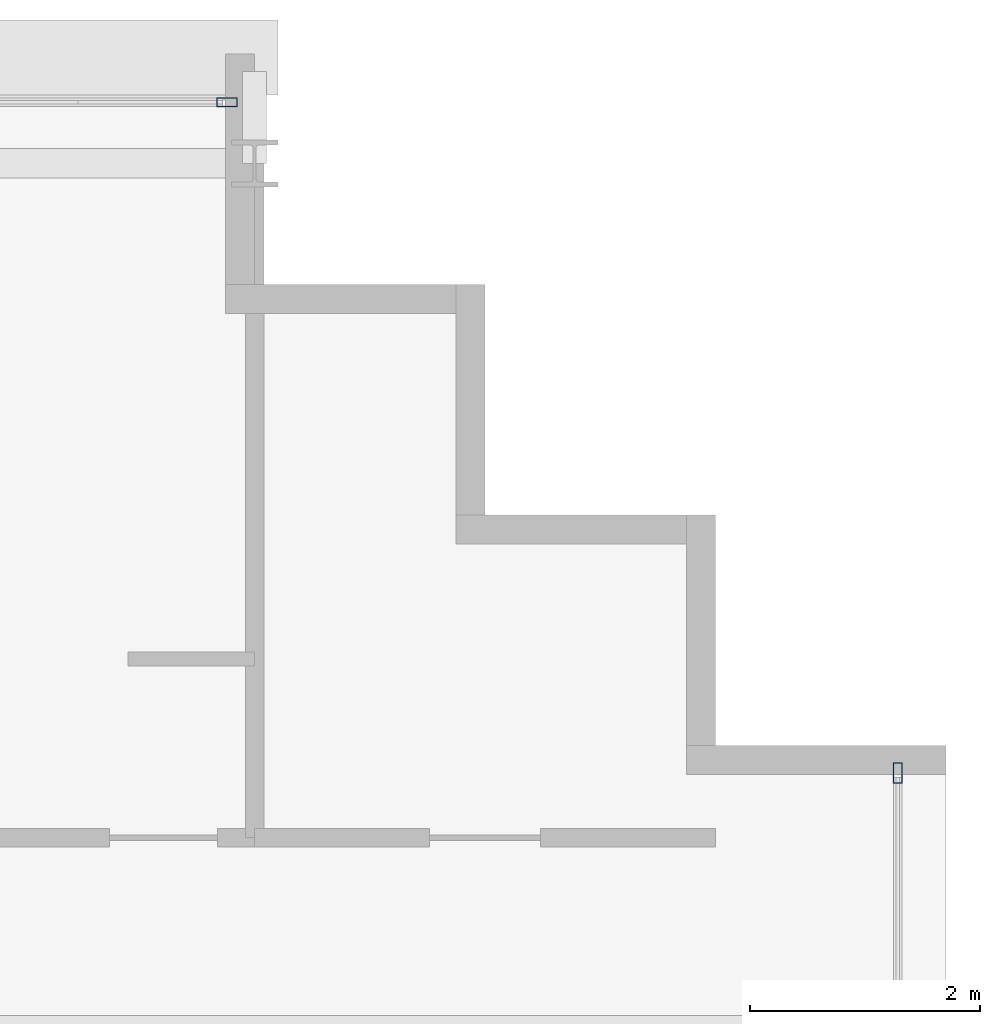
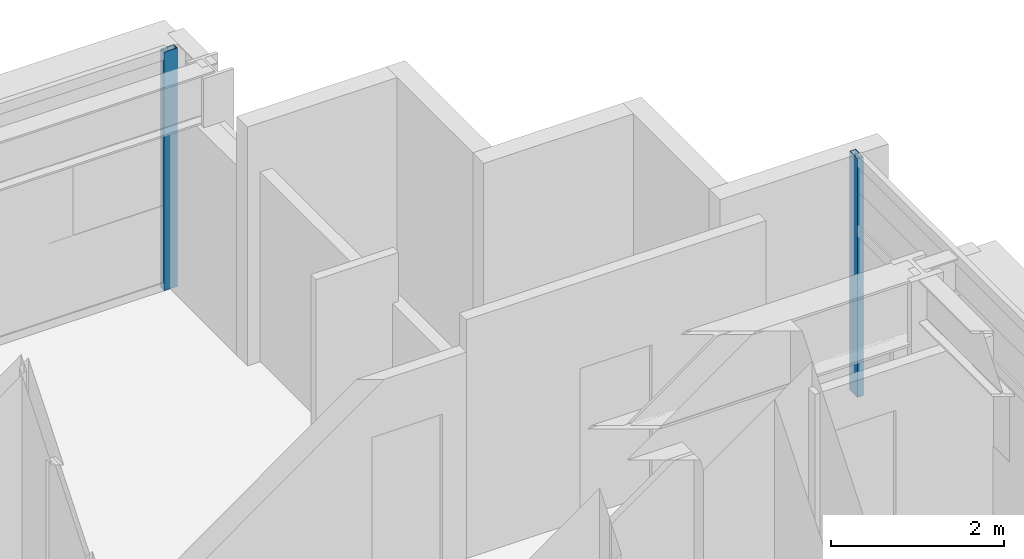
# One storey, part 19 of 31: 2 members, 2 elements without a shape of their own.
"""IFC4 building model written with IfcOpenShell, lengths in metres."""

from ifc_helpers import new_model, si_unit, direction, frame, origin, origin_2d, place, context, subcontext, project, spatial, hollow_rectangle, extrude, source, transform, mapped, material, layer, layer_set, material_profile, profile_set, type_object, element, aggregate, save


model = new_model("IFC4")

# Units and contexts
model_context = context("Model", 3, precision=1e-05, world=origin(), true_north=direction((0.0, 1.0)))
body_context = subcontext(model_context, "Body", "Model", "MODEL_VIEW")
ifc_project = project(units=[si_unit("LENGTHUNIT", "METRE"), si_unit("AREAUNIT", "SQUARE_METRE"), si_unit("VOLUMEUNIT", "CUBIC_METRE"), si_unit("PLANEANGLEUNIT", "RADIAN"), si_unit("MASSUNIT", "GRAM", prefix="KILO")], contexts=[model_context])

# Site, building, storey
site_placement = place(None, origin())
site = spatial("IfcSite", under=ifc_project, at=site_placement, CompositionType="ELEMENT")
building_placement = place(site_placement, origin())
building = spatial("IfcBuilding", under=site, at=building_placement, Name="Ocotamira Hotel", CompositionType="ELEMENT")
storey_placement = place(building_placement, frame((0.0, 0.0, 210.0)))
storey = spatial("IfcBuildingStorey", under=building, at=storey_placement, Name="L53", CompositionType="ELEMENT", Elevation=210.0)

# Curtain wall, member
ifc_material_1 = material(Name="Anodised pale-metal aluminium and solar glass", Category="aluminium")
ifc_layer = layer(ifc_material_1, 0.199951171875)
ifc_layer_set = layer_set([ifc_layer], Name="Anodised pale-metal aluminium and solar glass")
curtain_wall_type = type_object("IfcCurtainWallType", Name="CW-SYS4-Z3", PredefinedType="NOTDEFINED", material=ifc_layer_set)
curtain_wall_1_placement = place(storey_placement, origin())
curtain_wall_1 = element("IfcCurtainWall", 1, at=curtain_wall_1_placement, inside=storey, type_object=curtain_wall_type, Name="L53 Curtain Wall CW-4 CW-L53-N", PredefinedType="NOTDEFINED")
ifc_material_2 = material(Name="Anodised pale-metal aluminium 6063-T6", Category="aluminium")
ifc_material_profile = material_profile(ifc_material_2, hollow_rectangle(XDim=0.080078125, YDim=0.179931640625, WallThickness=0.006103515625, at=origin_2d()), Name="HSS180X80X6")
ifc_profile_set = profile_set([ifc_material_profile], Name="Anodised pale-metal aluminium 6063-T6")
member_type = type_object("IfcMemberType", Name="CWM-180X75", PredefinedType="MULLION", material=ifc_profile_set)
shared_shape = source(origin(), body_context, "Body", "SweptSolid", [
    extrude(hollow_rectangle(XDim=0.080078125, YDim=0.179931640625, WallThickness=0.006103515625, at=origin_2d()), origin(), (0.0, 0.0, 1.0), 3.3701171875),
])
member_1_placement = place(storey_placement, frame((49.760009765625, 45.580078125, 0.0), z_axis=(0.0, 0.0, 1.0), x_axis=(0.0, 1.0, 0.0)))
member_1 = element("IfcMember", 2, at=member_1_placement, type_object=member_type, Name="CW-4 mullion 10", PredefinedType="MULLION", context=body_context, shape_type="MappedRepresentation", body=[
    mapped(shared_shape, transform((0.0, 0.0, 0.0), scale=1.0)),
])
aggregate(curtain_wall_1, [member_1])

curtain_wall_2_placement = place(storey_placement, origin())
curtain_wall_2 = element("IfcCurtainWall", 3, at=curtain_wall_2_placement, inside=storey, type_object=curtain_wall_type, Name="L53 Curtain Wall CW-4 CW-L53-E", PredefinedType="NOTDEFINED")
member_2_placement = place(storey_placement, frame((55.580078125, 39.760009765625, 0.0), z_axis=(0.0, 0.0, 1.0), x_axis=(-1.0, 0.0, 0.0)))
member_2 = element("IfcMember", 4, at=member_2_placement, type_object=member_type, Name="CW-4 mullion 6", PredefinedType="MULLION", context=body_context, shape_type="MappedRepresentation", body=[
    mapped(shared_shape, transform((0.0, 0.0, 0.0), scale=1.0)),
])
aggregate(curtain_wall_2, [member_2])

save(model, "model.ifc")
